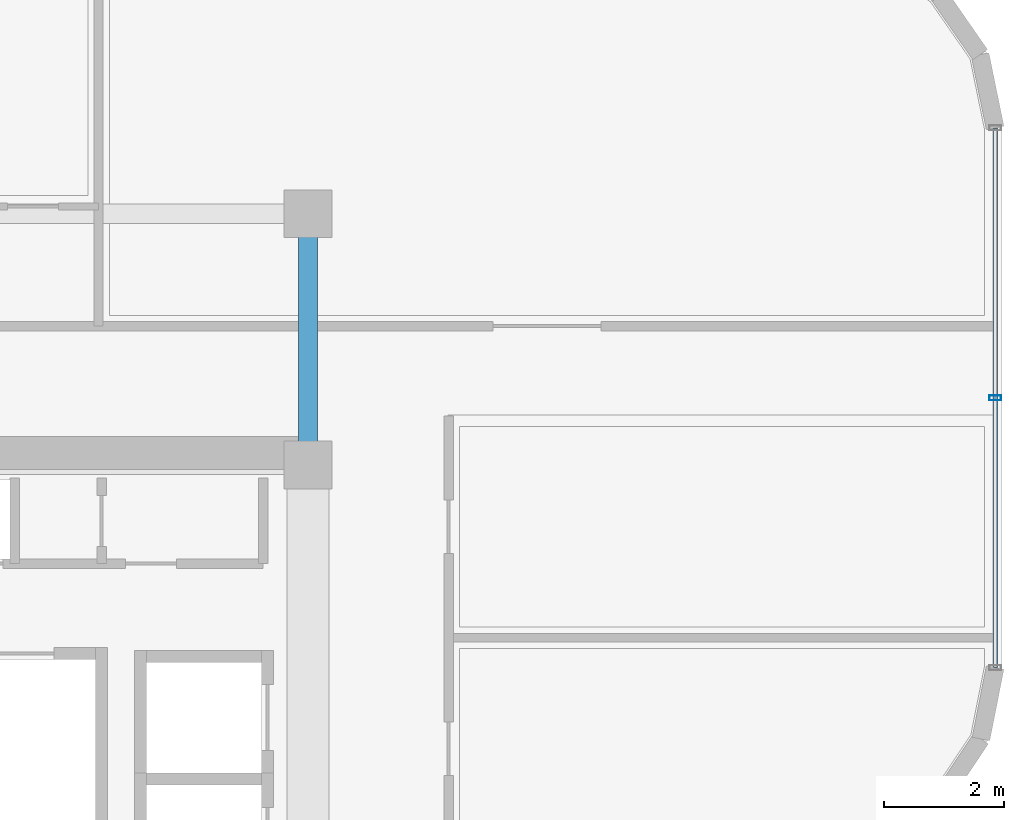
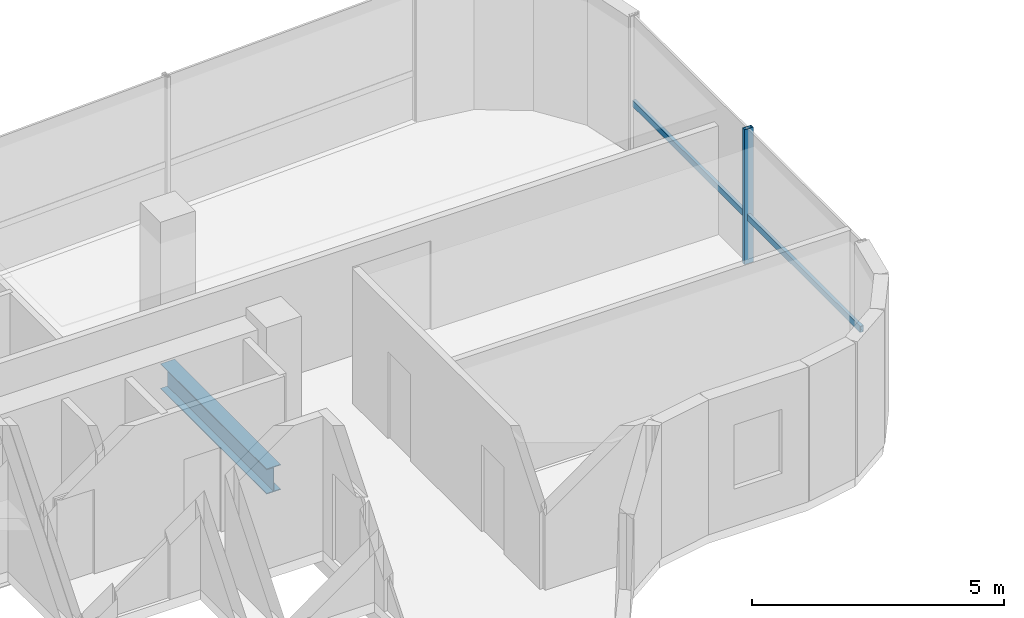
# One storey, part 11 of 20: 2 members, 1 beam, 1 element without a shape of its own.
"""IFC4 building model written with IfcOpenShell, lengths in metres."""

from ifc_helpers import new_model, si_unit, direction, frame, origin, origin_2d, place, context, subcontext, project, spatial, hollow_rectangle, i_section, extrude, source, transform, mapped, material, material_profile, profile_set, type_object, element, aggregate, save


model = new_model("IFC4")

# Units and contexts
model_context = context("Model", 3, precision=1e-05, world=origin(), true_north=direction((0.0, 1.0)))
body_context = subcontext(model_context, "Body", "Model", "MODEL_VIEW")
ifc_project = project(units=[si_unit("LENGTHUNIT", "METRE"), si_unit("AREAUNIT", "SQUARE_METRE"), si_unit("VOLUMEUNIT", "CUBIC_METRE"), si_unit("PLANEANGLEUNIT", "RADIAN"), si_unit("MASSUNIT", "GRAM", prefix="KILO")], contexts=[model_context])

# Site, building, storey
site_placement = place(None, origin())
site = spatial("IfcSite", under=ifc_project, at=site_placement, CompositionType="ELEMENT")
building_placement = place(site_placement, origin())
building = spatial("IfcBuilding", under=site, at=building_placement, Name="Valdorenza Pilgrim Sanctuary Tower", CompositionType="ELEMENT")
storey_placement = place(building_placement, frame((0.0, 0.0, 283.5)))
storey = spatial("IfcBuildingStorey", under=building, at=storey_placement, Name="L74", CompositionType="ELEMENT", Elevation=283.5)

# Beam
ifc_material_1 = material(Name="Steel ASTM A992 Grade 50", Category="steel")
ifc_material_profile_1 = material_profile(ifc_material_1, i_section(OverallWidth=0.323974609375, OverallDepth=0.611083984375, WebThickness=0.0126953125, FlangeThickness=0.01904296875, at=origin_2d()), Name="W24X104")
ifc_profile_set_1 = profile_set([ifc_material_profile_1], Name="Steel ASTM A992 Grade 50")
beam_type = type_object("IfcBeamType", Name="STR-BM-GRD-W24B", PredefinedType="BEAM", material=ifc_profile_set_1)
shared_shape_1 = source(origin(), body_context, "Body", "SweptSolid", [
    extrude(i_section(OverallWidth=0.323974609375, OverallDepth=0.611083984375, WebThickness=0.0126953125, FlangeThickness=0.01904296875, at=origin_2d()), origin(), (0.0, 0.0, 1.0), 4.199951171875),
])
beam_placement = place(storey_placement, frame((-12.39990234375, 10.60009765625, -0.54541015625), z_axis=(0.0, 1.0, 0.0), x_axis=(-1.0, 0.0, 0.0)))
element("IfcBeam", 1, at=beam_placement, inside=storey, type_object=beam_type, Name="L74 Core Tie Girder CA-E-N1N2", PredefinedType="BEAM", context=body_context, shape_type="MappedRepresentation", body=[
    mapped(shared_shape_1, transform((0.0, 0.0, 0.0), x_axis=(1.0, 0.0, 0.0), y_axis=(0.0, 1.0, 0.0), z_axis=(0.0, 0.0, 1.0), scale=1.0)),
])

# Curtain wall, members
ifc_material_2 = material(Name="Curtain-wall IGU glazing", Category="glass")
curtain_wall_type = type_object("IfcCurtainWallType", Name="CW-SYS-02", PredefinedType="NOTDEFINED", material=ifc_material_2)
curtain_wall_placement = place(storey_placement, origin())
curtain_wall = element("IfcCurtainWall", 2, at=curtain_wall_placement, inside=storey, type_object=curtain_wall_type, Name="L74 Curtain Wall CW-L74-1-11", PredefinedType="NOTDEFINED")
ifc_material_3 = material(Name="Anodised aluminium AW-6060", Category="aluminium")
ifc_material_profile_2 = material_profile(ifc_material_3, hollow_rectangle(XDim=0.0849609375, YDim=0.199951171875, WallThickness=0.0048828125, at=origin_2d()), Name="ALU-M 200x85x5")
ifc_profile_set_2 = profile_set([ifc_material_profile_2], Name="Anodised aluminium AW-6060")
member_type_1 = type_object("IfcMemberType", Name="CW-MUL-02", PredefinedType="MULLION", material=ifc_profile_set_2)
shared_shape_2 = source(origin(), body_context, "Body", "SweptSolid", [
    extrude(hollow_rectangle(XDim=0.0849609375, YDim=0.199951171875, WallThickness=0.0048828125, at=origin_2d()), origin(), (0.0, 0.0, 1.0), 3.260009765625),
])
member_1_placement = place(storey_placement, frame((-0.909912109375, 11.72265625, 0.0), z_axis=(0.0, 0.0, 1.0), x_axis=(0.0, -1.0, 0.0)))
member_1 = element("IfcMember", 3, at=member_1_placement, type_object=member_type_1, Name="CW-L74-1-11 Mullion 2", PredefinedType="MULLION", context=body_context, shape_type="MappedRepresentation", body=[
    mapped(shared_shape_2, transform((0.0, 0.0, 0.0), x_axis=(1.0, 0.0, 0.0), y_axis=(0.0, 1.0, 0.0), z_axis=(0.0, 0.0, 1.0), scale=1.0)),
])
ifc_material_profile_3 = material_profile(ifc_material_3, hollow_rectangle(XDim=0.074951171875, YDim=0.14990234375, WallThickness=0.00390625, at=origin_2d()), Name="ALU-T 150x75x4")
ifc_profile_set_3 = profile_set([ifc_material_profile_3], Name="Anodised aluminium AW-6060")
member_type_2 = type_object("IfcMemberType", Name="CW-TRN-02", PredefinedType="USERDEFINED", material=ifc_profile_set_3)
shared_shape_3 = source(origin(), body_context, "Body", "SweptSolid", [
    extrude(hollow_rectangle(XDim=0.074951171875, YDim=0.14990234375, WallThickness=0.00390625, at=origin_2d()), origin(), (0.0, 0.0, 1.0), 9.023681640625),
])
member_2_placement = place(storey_placement, frame((-0.909912109375, 16.234375, 1.1201171875), z_axis=(0.0, -1.0, 0.0), x_axis=(1.0, 0.0, 0.0)))
member_2 = element("IfcMember", 4, at=member_2_placement, type_object=member_type_2, Name="CW-L74-1-11 Transom 1", ObjectType="TRANSOM", PredefinedType="USERDEFINED", context=body_context, shape_type="MappedRepresentation", body=[
    mapped(shared_shape_3, transform((0.0, 0.0, 0.0), x_axis=(1.0, 0.0, 0.0), y_axis=(0.0, 1.0, 0.0), z_axis=(0.0, 0.0, 1.0), scale=1.0)),
])
aggregate(curtain_wall, [member_1, member_2])

save(model, "model.ifc")
